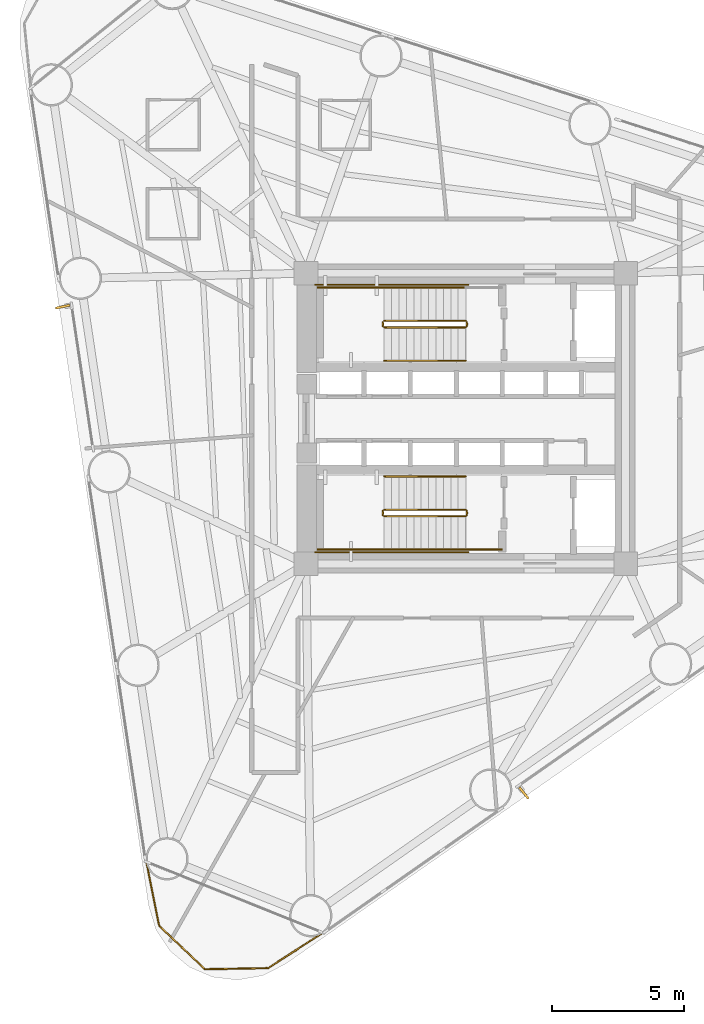
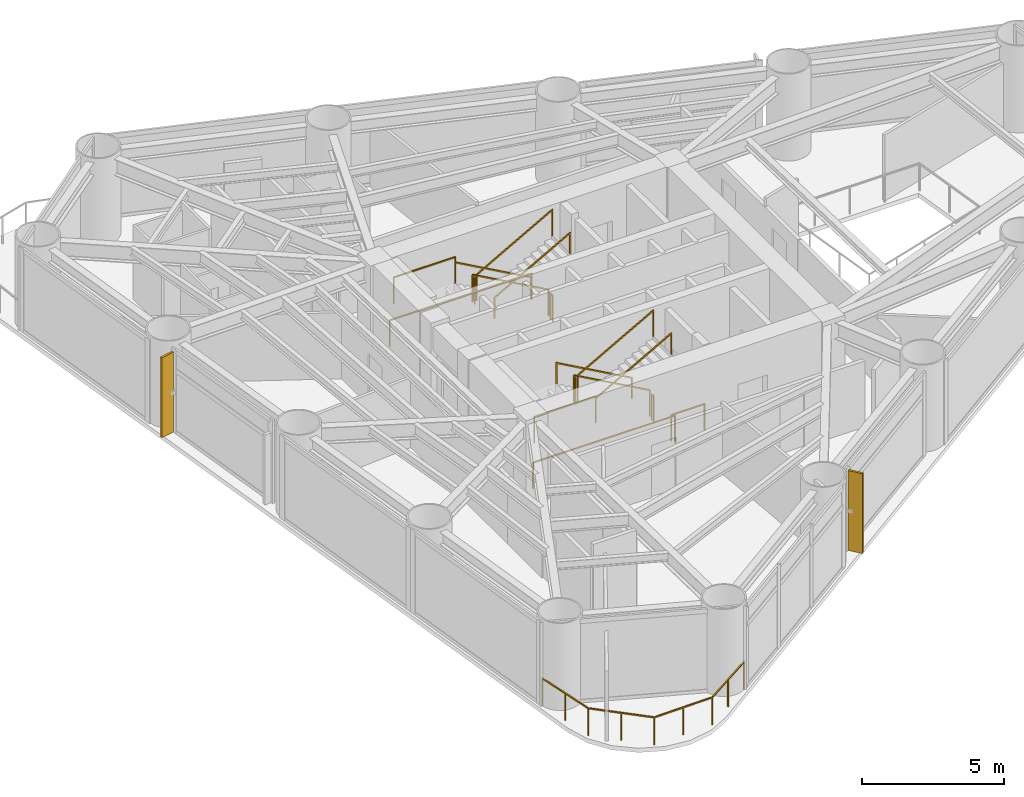
# One storey, part 8 of 9: 18 railings, 2 shading devices.
"""IFC4 building model written with IfcOpenShell, lengths in metres."""

from ifc_helpers import new_model, si_unit, direction, frame, origin, origin_2d, place, context, subcontext, project, spatial, rectangle, extrude, source, transform, mapped, material, material_profile, profile_set, type_object, element, save


model = new_model("IFC4")

# Units and contexts
model_context = context("Model", 3, precision=1e-05, world=origin(), true_north=direction((0.0, 1.0)))
body_context = subcontext(model_context, "Body", "Model", "MODEL_VIEW")
ifc_project = project(units=[si_unit("LENGTHUNIT", "METRE"), si_unit("AREAUNIT", "SQUARE_METRE"), si_unit("VOLUMEUNIT", "CUBIC_METRE"), si_unit("PLANEANGLEUNIT", "RADIAN"), si_unit("MASSUNIT", "GRAM", prefix="KILO")], contexts=[model_context])

# Site, building, storey
site_placement = place(None, origin())
site = spatial("IfcSite", under=ifc_project, at=site_placement, CompositionType="ELEMENT")
building_placement = place(site_placement, origin())
building = spatial("IfcBuilding", under=site, at=building_placement, Name="Yunling Apex Tower", CompositionType="ELEMENT")
storey_placement = place(building_placement, frame((0.0, 0.0, 73.550048828125)))
storey = spatial("IfcBuildingStorey", under=building, at=storey_placement, Name="L19", CompositionType="ELEMENT", Elevation=73.550048828125)

# Railings
ifc_material_1 = material(Name="Bronze anodised aluminium", Category="aluminium")
railing_type_1 = type_object("IfcRailingType", Name="RL-BAL-1200", PredefinedType="BALUSTRADE", material=ifc_material_1)
railing_1_placement = place(storey_placement, frame((-5.41552734375, -19.466796875, 0.0)))
element("IfcRailing", 1, at=railing_1_placement, inside=storey, type_object=railing_type_1, Name="RL-CRNSILL-L19-3", PredefinedType="BALUSTRADE", context=body_context, shape_type="SweptSolid", body=[
    extrude(rectangle(XDim=0.0439453125, YDim=0.0439453125, at=origin_2d()), origin(), (0.0, 0.0, 1.0), 1.199951171875),
    extrude(rectangle(XDim=0.0439453125, YDim=0.0439453125, at=origin_2d()), frame((-2.069091796875, -1.3349609375, 0.0)), (0.0, 0.0, 1.0), 1.199951171875),
    extrude(rectangle(XDim=0.050048828125, YDim=0.050048828125, at=origin_2d()), frame((-0.0322265625, -0.020751953125, 1.1748046875), z_axis=(-0.840284992051, -0.542144936464, 0.0), x_axis=(0.542144936464, -0.840284992051, 0.0)), (0.0, 0.0, 1.0), 2.3857421875),
    extrude(rectangle(XDim=0.0439453125, YDim=0.0439453125, at=origin_2d()), frame((-1.03466796875, -0.66748046875, 0.0)), (0.0, 0.0, 1.0), 1.14599609375),
    extrude(rectangle(XDim=0.0439453125, YDim=0.0439453125, at=origin_2d()), frame((-4.456787109375, -1.3779296875, 0.0)), (0.0, 0.0, 1.0), 1.199951171875),
    extrude(rectangle(XDim=0.050048828125, YDim=0.050048828125, at=origin_2d()), frame((-2.107421875, -1.335693359375, 1.1748046875), z_axis=(-0.999838112931, -0.017992996715, 0.0), x_axis=(0.017992996715, -0.999838112931, 0.0)), (0.0, 0.0, 1.0), 2.3115234375),
    extrude(rectangle(XDim=0.0439453125, YDim=0.0439453125, at=origin_2d()), frame((-3.262939453125, -1.3564453125, 0.0)), (0.0, 0.0, 1.0), 1.14599609375),
    extrude(rectangle(XDim=0.0439453125, YDim=0.0439453125, at=origin_2d()), frame((-6.1943359375, 0.271728515625, 0.0)), (0.0, 0.0, 1.0), 1.199951171875),
    extrude(rectangle(XDim=0.050048828125, YDim=0.050048828125, at=origin_2d()), frame((-4.484619140625, -1.3515625, 1.1748046875), z_axis=(-0.725210560755, 0.688527154562, 0.0), x_axis=(-0.688527154562, -0.725210560755, 0.0)), (0.0, 0.0, 1.0), 2.3193359375),
    extrude(rectangle(XDim=0.0439453125, YDim=0.0439453125, at=origin_2d()), frame((-5.32568359375, -0.55322265625, 0.0)), (0.0, 0.0, 1.0), 1.14599609375),
    extrude(rectangle(XDim=0.0439453125, YDim=0.0439453125, at=origin_2d()), frame((-6.6767578125, 2.685302734375, 0.0)), (0.0, 0.0, 1.0), 1.199951171875),
    extrude(rectangle(XDim=0.050048828125, YDim=0.050048828125, at=origin_2d()), frame((-6.201904296875, 0.309326171875, 1.1748046875), z_axis=(-0.196001682493, 0.980603559274, 0.0), x_axis=(-0.980603559274, -0.196001682493, 0.0)), (0.0, 0.0, 1.0), 2.384765625),
    extrude(rectangle(XDim=0.0439453125, YDim=0.0439453125, at=origin_2d()), frame((-6.435546875, 1.478515625, 0.0)), (0.0, 0.0, 1.0), 1.14599609375),
])
ifc_material_2 = material(Name="Steel Q355B", Category="steel")
railing_type_2 = type_object("IfcRailingType", Name="RL-GRD-1150", PredefinedType="GUARDRAIL", material=ifc_material_2)
railing_2_placement = place(storey_placement, frame((-0.010009765625, 3.699951171875, 0.15625)))
element("IfcRailing", 2, at=railing_2_placement, inside=storey, type_object=railing_type_2, Name="L19 ST-1 stair guard 1", PredefinedType="GUARDRAIL", context=body_context, shape_type="SweptSolid", body=[
    extrude(rectangle(XDim=0.0439453125, YDim=0.0439453125, at=origin_2d()), origin(), (0.0, 0.0, 1.0), 1.14990234375),
    extrude(rectangle(XDim=0.0439453125, YDim=0.0439453125, at=origin_2d()), frame((-3.080078125, 0.0, 1.71875)), (0.0, 0.0, 1.0), 1.14990234375),
    extrude(rectangle(XDim=0.050048828125, YDim=0.050048828125, at=origin_2d()), frame((-0.033447265625, 0.0, 1.1435546875), z_axis=(-0.873241540666, 0.0, 0.487287606713), x_axis=(0.0, -1.0, 0.0)), (0.0, 0.0, 1.0), 3.450439453125),
])
railing_3_placement = place(storey_placement, frame((-3.139892578125, 3.64990234375, 1.875)))
element("IfcRailing", 3, at=railing_3_placement, inside=storey, type_object=railing_type_2, Name="L19 ST-1 stair guard 2", PredefinedType="GUARDRAIL", context=body_context, shape_type="SweptSolid", body=[
    extrude(rectangle(XDim=0.0439453125, YDim=0.0439453125, at=origin_2d()), origin(), (0.0, 0.0, 1.0), 1.14990234375),
    extrude(rectangle(XDim=0.0439453125, YDim=0.0439453125, at=origin_2d()), frame((0.0, -0.14990234375, 0.0)), (0.0, 0.0, 1.0), 1.14990234375),
    extrude(rectangle(XDim=0.050048828125, YDim=0.050048828125, at=origin_2d()), frame((0.0, -0.038330078125, 1.125), z_axis=(0.0, -1.0, 0.0), x_axis=(1.0, 0.0, 0.0)), (0.0, 0.0, 1.0), 0.0732421875),
])
railing_4_placement = place(storey_placement, frame((-3.090087890625, 4.9599609375, 1.875)))
element("IfcRailing", 4, at=railing_4_placement, inside=storey, type_object=railing_type_2, Name="L19 ST-1 stair guard 3", PredefinedType="GUARDRAIL", context=body_context, shape_type="SweptSolid", body=[
    extrude(rectangle(XDim=0.0439453125, YDim=0.0439453125, at=origin_2d()), origin(), (0.0, 0.0, 1.0), 1.14990234375),
    extrude(rectangle(XDim=0.0439453125, YDim=0.0439453125, at=origin_2d()), frame((-2.510009765625, 0.0, 0.0)), (0.0, 0.0, 1.0), 1.14990234375),
    extrude(rectangle(XDim=0.050048828125, YDim=0.050048828125, at=origin_2d()), frame((-0.038330078125, 0.0, 1.125), z_axis=(-1.0, 0.0, 0.0), x_axis=(0.0, -1.0, 0.0)), (0.0, 0.0, 1.0), 2.433349609375),
])
railing_5_placement = place(storey_placement, frame((-3.090087890625, 3.449951171875, 2.03125)))
element("IfcRailing", 5, at=railing_5_placement, inside=storey, type_object=railing_type_2, Name="L19 ST-1 stair guard 4", PredefinedType="GUARDRAIL", context=body_context, shape_type="SweptSolid", body=[
    extrude(rectangle(XDim=0.0439453125, YDim=0.0439453125, at=origin_2d()), origin(), (0.0, 0.0, 1.0), 1.14990234375),
    extrude(rectangle(XDim=0.0439453125, YDim=0.0439453125, at=origin_2d()), frame((3.080078125, 0.0, 1.71875)), (0.0, 0.0, 1.0), 1.14990234375),
    extrude(rectangle(XDim=0.050048828125, YDim=0.050048828125, at=origin_2d()), frame((0.033447265625, 0.0, 1.1435546875), z_axis=(0.873241540666, 0.0, 0.487287606713), x_axis=(0.0, 1.0, 0.0)), (0.0, 0.0, 1.0), 3.450439453125),
])
railing_6_placement = place(storey_placement, frame((0.0400390625, 3.64990234375, 0.0)))
element("IfcRailing", 6, at=railing_6_placement, inside=storey, type_object=railing_type_2, Name="L19 ST-1 stair guard 5", PredefinedType="GUARDRAIL", context=body_context, shape_type="SweptSolid", body=[
    extrude(rectangle(XDim=0.0439453125, YDim=0.0439453125, at=origin_2d()), origin(), (0.0, 0.0, 1.0), 1.14990234375),
    extrude(rectangle(XDim=0.0439453125, YDim=0.0439453125, at=origin_2d()), frame((0.0, -0.14990234375, 0.0)), (0.0, 0.0, 1.0), 1.14990234375),
    extrude(rectangle(XDim=0.050048828125, YDim=0.050048828125, at=origin_2d()), frame((0.0, -0.038330078125, 1.125), z_axis=(0.0, -1.0, 0.0), x_axis=(1.0, 0.0, 0.0)), (0.0, 0.0, 1.0), 0.0732421875),
])
railing_7_placement = place(storey_placement, frame((0.090087890625, 5.06005859375, 0.0)))
element("IfcRailing", 7, at=railing_7_placement, inside=storey, type_object=railing_type_2, Name="L19 ST-1 stair guard 7", PredefinedType="GUARDRAIL", context=body_context, shape_type="SweptSolid", body=[
    extrude(rectangle(XDim=0.0439453125, YDim=0.0439453125, at=origin_2d()), origin(), (0.0, 0.0, 1.0), 1.14990234375),
    extrude(rectangle(XDim=0.0439453125, YDim=0.0439453125, at=origin_2d()), frame((-5.7900390625, 0.0, 0.0)), (0.0, 0.0, 1.0), 1.14990234375),
    extrude(rectangle(XDim=0.050048828125, YDim=0.050048828125, at=origin_2d()), frame((-0.038330078125, 0.0, 1.125), z_axis=(-1.0, 0.0, 0.0), x_axis=(0.0, -1.0, 0.0)), (0.0, 0.0, 1.0), 5.71337890625),
])
railing_8_placement = place(storey_placement, frame((-0.010009765625, -3.449951171875, 0.15625)))
element("IfcRailing", 8, at=railing_8_placement, inside=storey, type_object=railing_type_2, Name="L19 ST-2 stair guard 1", PredefinedType="GUARDRAIL", context=body_context, shape_type="SweptSolid", body=[
    extrude(rectangle(XDim=0.0439453125, YDim=0.0439453125, at=origin_2d()), origin(), (0.0, 0.0, 1.0), 1.14990234375),
    extrude(rectangle(XDim=0.0439453125, YDim=0.0439453125, at=origin_2d()), frame((-3.080078125, 0.0, 1.71875)), (0.0, 0.0, 1.0), 1.14990234375),
    extrude(rectangle(XDim=0.050048828125, YDim=0.050048828125, at=origin_2d()), frame((-0.033447265625, 0.0, 1.1435546875), z_axis=(-0.873241540666, 0.0, 0.487287606713), x_axis=(0.0, -1.0, 0.0)), (0.0, 0.0, 1.0), 3.450439453125),
])
railing_9_placement = place(storey_placement, frame((-3.139892578125, -3.5, 1.875)))
element("IfcRailing", 9, at=railing_9_placement, inside=storey, type_object=railing_type_2, Name="L19 ST-2 stair guard 2", PredefinedType="GUARDRAIL", context=body_context, shape_type="SweptSolid", body=[
    extrude(rectangle(XDim=0.0439453125, YDim=0.0439453125, at=origin_2d()), origin(), (0.0, 0.0, 1.0), 1.14990234375),
    extrude(rectangle(XDim=0.0439453125, YDim=0.0439453125, at=origin_2d()), frame((0.0, -0.14990234375, 0.0)), (0.0, 0.0, 1.0), 1.14990234375),
    extrude(rectangle(XDim=0.050048828125, YDim=0.050048828125, at=origin_2d()), frame((0.0, -0.038330078125, 1.125), z_axis=(0.0, -1.0, 0.0), x_axis=(1.0, 0.0, 0.0)), (0.0, 0.0, 1.0), 0.0732421875),
])
railing_10_placement = place(storey_placement, frame((-3.090087890625, -4.9599609375, 1.875)))
element("IfcRailing", 10, at=railing_10_placement, inside=storey, type_object=railing_type_2, Name="L19 ST-2 stair guard 3", PredefinedType="GUARDRAIL", context=body_context, shape_type="SweptSolid", body=[
    extrude(rectangle(XDim=0.0439453125, YDim=0.0439453125, at=origin_2d()), origin(), (0.0, 0.0, 1.0), 1.14990234375),
    extrude(rectangle(XDim=0.0439453125, YDim=0.0439453125, at=origin_2d()), frame((-2.510009765625, 0.0, 0.0)), (0.0, 0.0, 1.0), 1.14990234375),
    extrude(rectangle(XDim=0.050048828125, YDim=0.050048828125, at=origin_2d()), frame((-0.038330078125, 0.0, 1.125), z_axis=(-1.0, 0.0, 0.0), x_axis=(0.0, -1.0, 0.0)), (0.0, 0.0, 1.0), 2.433349609375),
])
railing_11_placement = place(storey_placement, frame((-3.090087890625, -3.699951171875, 2.03125)))
element("IfcRailing", 11, at=railing_11_placement, inside=storey, type_object=railing_type_2, Name="L19 ST-2 stair guard 4", PredefinedType="GUARDRAIL", context=body_context, shape_type="SweptSolid", body=[
    extrude(rectangle(XDim=0.0439453125, YDim=0.0439453125, at=origin_2d()), origin(), (0.0, 0.0, 1.0), 1.14990234375),
    extrude(rectangle(XDim=0.0439453125, YDim=0.0439453125, at=origin_2d()), frame((3.080078125, 0.0, 1.71875)), (0.0, 0.0, 1.0), 1.14990234375),
    extrude(rectangle(XDim=0.050048828125, YDim=0.050048828125, at=origin_2d()), frame((0.033447265625, 0.0, 1.1435546875), z_axis=(0.873241540666, 0.0, 0.487287606713), x_axis=(0.0, 1.0, 0.0)), (0.0, 0.0, 1.0), 3.450439453125),
])
railing_12_placement = place(storey_placement, frame((0.0400390625, -3.5, 0.0)))
element("IfcRailing", 12, at=railing_12_placement, inside=storey, type_object=railing_type_2, Name="L19 ST-2 stair guard 5", PredefinedType="GUARDRAIL", context=body_context, shape_type="SweptSolid", body=[
    extrude(rectangle(XDim=0.0439453125, YDim=0.0439453125, at=origin_2d()), origin(), (0.0, 0.0, 1.0), 1.14990234375),
    extrude(rectangle(XDim=0.0439453125, YDim=0.0439453125, at=origin_2d()), frame((0.0, -0.14990234375, 0.0)), (0.0, 0.0, 1.0), 1.14990234375),
    extrude(rectangle(XDim=0.050048828125, YDim=0.050048828125, at=origin_2d()), frame((0.0, -0.038330078125, 1.125), z_axis=(0.0, -1.0, 0.0), x_axis=(1.0, 0.0, 0.0)), (0.0, 0.0, 1.0), 0.0732421875),
])
railing_13_placement = place(storey_placement, frame((1.35009765625, -4.9599609375, 0.0)))
element("IfcRailing", 13, at=railing_13_placement, inside=storey, type_object=railing_type_2, Name="L19 ST-2 stair guard 6", PredefinedType="GUARDRAIL", context=body_context, shape_type="SweptSolid", body=[
    extrude(rectangle(XDim=0.0439453125, YDim=0.0439453125, at=origin_2d()), origin(), (0.0, 0.0, 1.0), 1.14990234375),
    extrude(rectangle(XDim=0.0439453125, YDim=0.0439453125, at=origin_2d()), frame((-1.360107421875, 0.0, 0.0)), (0.0, 0.0, 1.0), 1.14990234375),
    extrude(rectangle(XDim=0.050048828125, YDim=0.050048828125, at=origin_2d()), frame((-0.038330078125, 0.0, 1.125), z_axis=(-1.0, 0.0, 0.0), x_axis=(0.0, -1.0, 0.0)), (0.0, 0.0, 1.0), 1.283447265625),
])
railing_14_placement = place(storey_placement, frame((0.090087890625, -5.06005859375, 0.0)))
element("IfcRailing", 14, at=railing_14_placement, inside=storey, type_object=railing_type_2, Name="L19 ST-2 stair guard 7", PredefinedType="GUARDRAIL", context=body_context, shape_type="SweptSolid", body=[
    extrude(rectangle(XDim=0.0439453125, YDim=0.0439453125, at=origin_2d()), origin(), (0.0, 0.0, 1.0), 1.14990234375),
    extrude(rectangle(XDim=0.0439453125, YDim=0.0439453125, at=origin_2d()), frame((-5.7900390625, 0.0, 0.0)), (0.0, 0.0, 1.0), 1.14990234375),
    extrude(rectangle(XDim=0.050048828125, YDim=0.050048828125, at=origin_2d()), frame((-0.038330078125, 0.0, 1.125), z_axis=(-1.0, 0.0, 0.0), x_axis=(0.0, -1.0, 0.0)), (0.0, 0.0, 1.0), 5.71337890625),
])
ifc_material_3 = material(Name="Silver anodised aluminium", Category="aluminium")
railing_type_3 = type_object("IfcRailingType", Name="RL-HND-900", PredefinedType="HANDRAIL", material=ifc_material_3)
railing_15_placement = place(storey_placement, frame((-0.010009765625, 4.9599609375, 0.15625)))
element("IfcRailing", 15, at=railing_15_placement, inside=storey, type_object=railing_type_3, Name="L19 ST-1 stair handrail 1", PredefinedType="HANDRAIL", context=body_context, shape_type="SweptSolid", body=[
    extrude(rectangle(XDim=0.0439453125, YDim=0.0439453125, at=origin_2d()), origin(), (0.0, 0.0, 1.0), 0.919921875),
    extrude(rectangle(XDim=0.0439453125, YDim=0.0439453125, at=origin_2d()), frame((-3.080078125, 0.0, 1.71875)), (0.0, 0.0, 1.0), 0.919921875),
    extrude(rectangle(XDim=0.050048828125, YDim=0.050048828125, at=origin_2d()), frame((-0.033447265625, 0.0, 0.91357421875), z_axis=(-0.873241540666, 0.0, 0.487287606713), x_axis=(0.0, -1.0, 0.0)), (0.0, 0.0, 1.0), 3.450439453125),
])
railing_16_placement = place(storey_placement, frame((-3.090087890625, 2.18994140625, 2.03125)))
element("IfcRailing", 16, at=railing_16_placement, inside=storey, type_object=railing_type_3, Name="L19 ST-1 stair handrail 2", PredefinedType="HANDRAIL", context=body_context, shape_type="SweptSolid", body=[
    extrude(rectangle(XDim=0.0439453125, YDim=0.0439453125, at=origin_2d()), origin(), (0.0, 0.0, 1.0), 0.919921875),
    extrude(rectangle(XDim=0.0439453125, YDim=0.0439453125, at=origin_2d()), frame((3.080078125, 0.0, 1.71875)), (0.0, 0.0, 1.0), 0.919921875),
    extrude(rectangle(XDim=0.050048828125, YDim=0.050048828125, at=origin_2d()), frame((0.033447265625, 0.0, 0.91357421875), z_axis=(0.873241540666, 0.0, 0.487287606713), x_axis=(0.0, 1.0, 0.0)), (0.0, 0.0, 1.0), 3.450439453125),
])
railing_17_placement = place(storey_placement, frame((-0.010009765625, -2.18994140625, 0.15625)))
element("IfcRailing", 17, at=railing_17_placement, inside=storey, type_object=railing_type_3, Name="L19 ST-2 stair handrail 1", PredefinedType="HANDRAIL", context=body_context, shape_type="SweptSolid", body=[
    extrude(rectangle(XDim=0.0439453125, YDim=0.0439453125, at=origin_2d()), origin(), (0.0, 0.0, 1.0), 0.919921875),
    extrude(rectangle(XDim=0.0439453125, YDim=0.0439453125, at=origin_2d()), frame((-3.080078125, 0.0, 1.71875)), (0.0, 0.0, 1.0), 0.919921875),
    extrude(rectangle(XDim=0.050048828125, YDim=0.050048828125, at=origin_2d()), frame((-0.033447265625, 0.0, 0.91357421875), z_axis=(-0.873241540666, 0.0, 0.487287606713), x_axis=(0.0, -1.0, 0.0)), (0.0, 0.0, 1.0), 3.450439453125),
])
railing_18_placement = place(storey_placement, frame((-3.090087890625, -4.9599609375, 2.03125)))
element("IfcRailing", 18, at=railing_18_placement, inside=storey, type_object=railing_type_3, Name="L19 ST-2 stair handrail 2", PredefinedType="HANDRAIL", context=body_context, shape_type="SweptSolid", body=[
    extrude(rectangle(XDim=0.0439453125, YDim=0.0439453125, at=origin_2d()), origin(), (0.0, 0.0, 1.0), 0.919921875),
    extrude(rectangle(XDim=0.0439453125, YDim=0.0439453125, at=origin_2d()), frame((3.080078125, 0.0, 1.71875)), (0.0, 0.0, 1.0), 0.919921875),
    extrude(rectangle(XDim=0.050048828125, YDim=0.050048828125, at=origin_2d()), frame((0.033447265625, 0.0, 0.91357421875), z_axis=(0.873241540666, 0.0, 0.487287606713), x_axis=(0.0, 1.0, 0.0)), (0.0, 0.0, 1.0), 3.450439453125),
])

# Shading devices
ifc_material_profile = material_profile(ifc_material_1, rectangle(XDim=0.0849609375, YDim=0.550048828125, at=origin_2d()))
ifc_profile_set = profile_set([ifc_material_profile], Name="Bronze anodised aluminium")
shading_device_type = type_object("IfcShadingDeviceType", Name="FN-BRZ-3", PredefinedType="USERDEFINED", material=ifc_profile_set)
shared_shape = source(origin(), body_context, "Body", "SweptSolid", [
    extrude(rectangle(XDim=0.0849609375, YDim=0.550048828125, at=origin_2d()), origin(), (0.0, 0.0, 1.0), 3.445068359375),
])
for number, where, z_axis, x_axis, name in (
    (19, (2.197509765625, -14.17431640625, 0.06005859375), (0.0, 0.0, 1.0), (0.780321270022, 0.625378857614, 0.0), "CW-L19-F1-B2-FIN-01"),
    (20, (-15.25830078125, 4.233642578125, 0.06005859375), (0.0, 0.0, 1.0), (0.212177672156, -0.977231106463, 0.0), "CW-L19-F3-B2-FIN-01"),
):
    element("IfcShadingDevice", number, at=place(storey_placement, frame(where, z_axis=z_axis, x_axis=x_axis)), inside=storey, type_object=shading_device_type, Name=name, ObjectType="FIN", PredefinedType="USERDEFINED", context=body_context, shape_type="MappedRepresentation", body=[
        mapped(shared_shape, transform((0.0, 0.0, 0.0), scale=1.0)),
    ])

save(model, "model.ifc")
